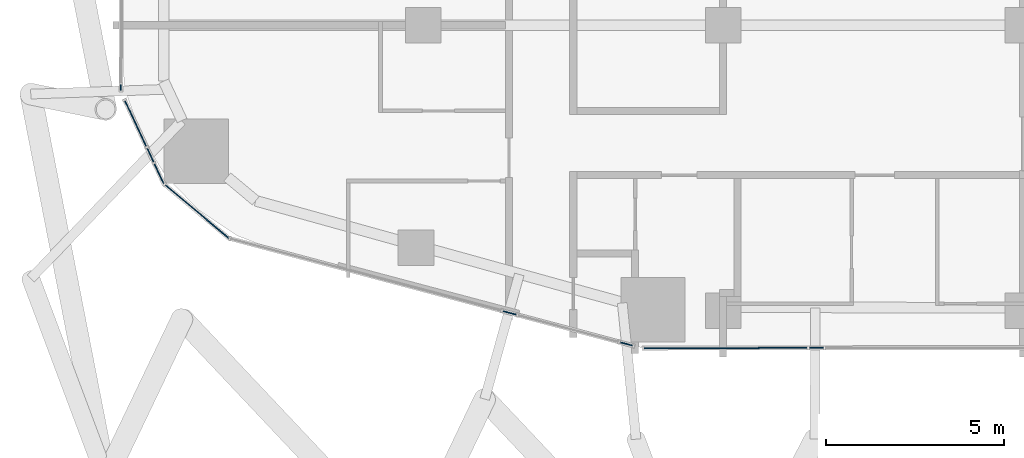
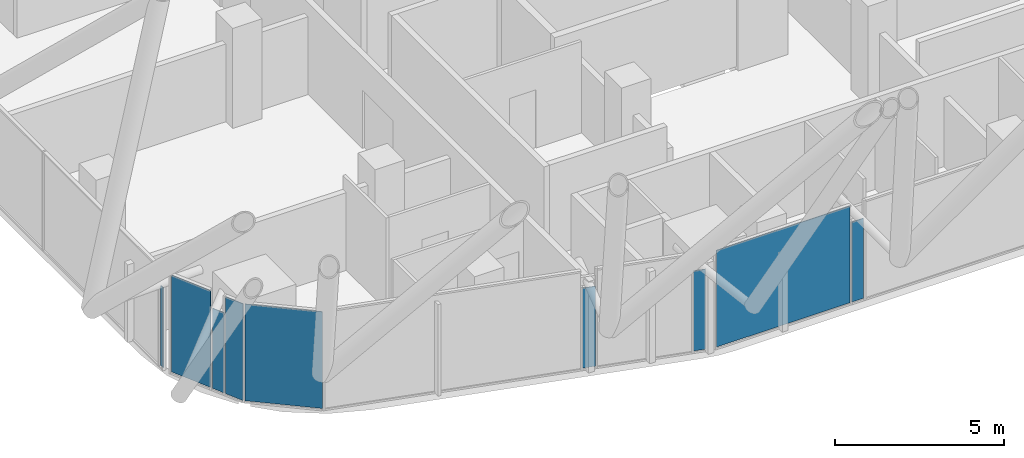
# One storey, part 20 of 36: 9 plates, 9 elements without a shape of their own.
"""IFC4 building model written with IfcOpenShell, lengths in metres."""

from ifc_helpers import new_model, si_unit, direction, frame, origin, origin_2d, place, context, subcontext, project, spatial, rectangle, extrude, material, layer, layer_set, type_object, element, aggregate, save


model = new_model("IFC4")

# Units and contexts
model_context = context("Model", 3, precision=1e-05, world=origin(), true_north=direction((0.0, 1.0)))
body_context = subcontext(model_context, "Body", "Model", "MODEL_VIEW")
ifc_project = project(units=[si_unit("LENGTHUNIT", "METRE"), si_unit("AREAUNIT", "SQUARE_METRE"), si_unit("VOLUMEUNIT", "CUBIC_METRE"), si_unit("PLANEANGLEUNIT", "RADIAN"), si_unit("MASSUNIT", "GRAM", prefix="KILO")], contexts=[model_context])

# Site, building, storey
site_placement = place(None, origin())
site = spatial("IfcSite", under=ifc_project, at=site_placement, CompositionType="ELEMENT")
building_placement = place(site_placement, origin())
building = spatial("IfcBuilding", under=site, at=building_placement, Name="Marenta Gate Hotel Tower", CompositionType="ELEMENT")
storey_placement = place(building_placement, frame((0.0, 0.0, 83.300048828125)))
storey = spatial("IfcBuildingStorey", under=building, at=storey_placement, Name="L19", CompositionType="ELEMENT", Elevation=83.300048828125)

# Curtain wall, plate
ifc_material_1 = material(Name="Tinted insulated glass in bronze anodised frame", Category="glass")
ifc_layer_1 = layer(ifc_material_1, 0.1201171875)
ifc_layer_set_1 = layer_set([ifc_layer_1], Name="Tinted insulated glass in bronze anodised frame")
curtain_wall_type = type_object("IfcCurtainWallType", Name="Tower unitised curtain wall CW1", PredefinedType="NOTDEFINED", material=ifc_layer_set_1)
curtain_wall_1_placement = place(storey_placement, origin())
curtain_wall_1 = element("IfcCurtainWall", 1, at=curtain_wall_1_placement, inside=storey, type_object=curtain_wall_type, Name="CW1 run G09", PredefinedType="NOTDEFINED")
ifc_material_2 = material(Name="Tinted insulated glass", Category="glass")
ifc_layer_2 = layer(ifc_material_2, 0.028076171875)
ifc_layer_set_2 = layer_set([ifc_layer_2], Name="Tinted insulated glass")
plate_type = type_object("IfcPlateType", Name="Glass panel CW1 28 mm tinted insulated unit", PredefinedType="CURTAIN_PANEL", material=ifc_layer_set_2)
plate_1_placement = place(storey_placement, frame((-29.47314453125, -10.144775390625, 0.06005859375), z_axis=(0.0, 0.0, 1.0), x_axis=(-0.001523227487, -0.999998839888, 0.0)))
plate_1 = element("IfcPlate", 2, at=plate_1_placement, type_object=plate_type, Name="CW1 panel 1.1", PredefinedType="CURTAIN_PANEL", context=body_context, shape_type="SweptSolid", body=[
    extrude(rectangle(XDim=0.142578125, YDim=0.028076171875, at=origin_2d()), origin(), (0.0, 0.0, 1.0), 2.880615234375),
])
aggregate(curtain_wall_1, [plate_1])

curtain_wall_2_placement = place(storey_placement, origin())
curtain_wall_2 = element("IfcCurtainWall", 3, at=curtain_wall_2_placement, inside=storey, type_object=curtain_wall_type, Name="CW1 run G10", PredefinedType="NOTDEFINED")
plate_2_placement = place(storey_placement, frame((-29.0625, -11.15478515625, 0.06005859375), z_axis=(0.0, 0.0, 1.0), x_axis=(0.423374568314, -0.905954731156, 0.0)))
plate_2 = element("IfcPlate", 4, at=plate_2_placement, type_object=plate_type, Name="CW1 panel 1.1", PredefinedType="CURTAIN_PANEL", context=body_context, shape_type="SweptSolid", body=[
    extrude(rectangle(XDim=1.406005859375, YDim=0.028076171875, at=origin_2d()), origin(), (0.0, 0.0, 1.0), 3.47998046875),
])
aggregate(curtain_wall_2, [plate_2])

curtain_wall_3_placement = place(storey_placement, origin())
curtain_wall_3 = element("IfcCurtainWall", 5, at=curtain_wall_3_placement, inside=storey, type_object=curtain_wall_type, Name="CW1 run G11", PredefinedType="NOTDEFINED")
plate_3_placement = place(storey_placement, frame((-28.6494140625, -12.0390625, 0.06005859375), z_axis=(0.0, 0.0, 1.0), x_axis=(0.423347352029, -0.905967449487, 0.0)))
plate_3 = element("IfcPlate", 6, at=plate_3_placement, type_object=plate_type, Name="CW1 panel 1.1", PredefinedType="CURTAIN_PANEL", context=body_context, shape_type="SweptSolid", body=[
    extrude(rectangle(XDim=0.42578125, YDim=0.028076171875, at=origin_2d()), origin(), (0.0, 0.0, 1.0), 2.880615234375),
])
aggregate(curtain_wall_3, [plate_3])

curtain_wall_4_placement = place(storey_placement, origin())
curtain_wall_4 = element("IfcCurtainWall", 7, at=curtain_wall_4_placement, inside=storey, type_object=curtain_wall_type, Name="CW1 run G12", PredefinedType="NOTDEFINED")
plate_4_placement = place(storey_placement, frame((-28.404052734375, -12.56396484375, 0.06005859375), z_axis=(0.0, 0.0, 1.0), x_axis=(0.423340951939, -0.905970440142, 0.0)))
plate_4 = element("IfcPlate", 8, at=plate_4_placement, type_object=plate_type, Name="CW1 panel 1.1", PredefinedType="CURTAIN_PANEL", context=body_context, shape_type="SweptSolid", body=[
    extrude(rectangle(XDim=0.613037109375, YDim=0.028076171875, at=origin_2d()), origin(), (0.0, 0.0, 1.0), 3.47998046875),
])
aggregate(curtain_wall_4, [plate_4])

curtain_wall_5_placement = place(storey_placement, origin())
curtain_wall_5 = element("IfcCurtainWall", 9, at=curtain_wall_5_placement, inside=storey, type_object=curtain_wall_type, Name="CW1 run G13", PredefinedType="NOTDEFINED")
plate_5_placement = place(storey_placement, frame((-27.33984375, -13.623291015625, 0.06005859375), z_axis=(0.0, 0.0, 1.0), x_axis=(0.767113012445, -0.641511984407, 0.0)))
plate_5 = element("IfcPlate", 10, at=plate_5_placement, type_object=plate_type, Name="CW1 panel 1.1", PredefinedType="CURTAIN_PANEL", context=body_context, shape_type="SweptSolid", body=[
    extrude(rectangle(XDim=2.316650390625, YDim=0.028076171875, at=origin_2d()), origin(), (0.0, 0.0, 1.0), 3.47998046875),
])
aggregate(curtain_wall_5, [plate_5])

curtain_wall_6_placement = place(storey_placement, origin())
curtain_wall_6 = element("IfcCurtainWall", 11, at=curtain_wall_6_placement, inside=storey, type_object=curtain_wall_type, Name="CW1 run G15", PredefinedType="NOTDEFINED")
plate_6_placement = place(storey_placement, frame((-18.57861328125, -16.461181640625, 0.06005859375), z_axis=(0.0, 0.0, 1.0), x_axis=(0.966355758549, -0.257209152092, 0.0)))
plate_6 = element("IfcPlate", 12, at=plate_6_placement, type_object=plate_type, Name="CW1 panel 1.1", PredefinedType="CURTAIN_PANEL", context=body_context, shape_type="SweptSolid", body=[
    extrude(rectangle(XDim=0.392822265625, YDim=0.028076171875, at=origin_2d()), origin(), (0.0, 0.0, 1.0), 2.880615234375),
])
aggregate(curtain_wall_6, [plate_6])

curtain_wall_7_placement = place(storey_placement, origin())
curtain_wall_7 = element("IfcCurtainWall", 13, at=curtain_wall_7_placement, inside=storey, type_object=curtain_wall_type, Name="CW1 run G17", PredefinedType="NOTDEFINED")
plate_7_placement = place(storey_placement, frame((-15.3095703125, -17.3310546875, 0.06005859375), z_axis=(0.0, 0.0, 1.0), x_axis=(0.966375342216, -0.257135563383, 0.0)))
plate_7 = element("IfcPlate", 14, at=plate_7_placement, type_object=plate_type, Name="CW1 panel 1.1", PredefinedType="CURTAIN_PANEL", context=body_context, shape_type="SweptSolid", body=[
    extrude(rectangle(XDim=0.3642578125, YDim=0.028076171875, at=origin_2d()), origin(), (0.0, 0.0, 1.0), 2.880615234375),
])
aggregate(curtain_wall_7, [plate_7])

curtain_wall_8_placement = place(storey_placement, origin())
curtain_wall_8 = element("IfcCurtainWall", 15, at=curtain_wall_8_placement, inside=storey, type_object=curtain_wall_type, Name="CW1 run G18", PredefinedType="NOTDEFINED")
plate_8_placement = place(storey_placement, frame((-12.528076171875, -17.445068359375, 0.06005859375), z_axis=(0.0, 0.0, 1.0), x_axis=(0.999999318423, 0.001167541525, 0.0)))
plate_8 = element("IfcPlate", 16, at=plate_8_placement, type_object=plate_type, Name="CW1 panel 1.1", PredefinedType="CURTAIN_PANEL", context=body_context, shape_type="SweptSolid", body=[
    extrude(rectangle(XDim=4.565185546875, YDim=0.028076171875, at=origin_2d()), origin(), (0.0, 0.0, 1.0), 3.47998046875),
])
aggregate(curtain_wall_8, [plate_8])

curtain_wall_9_placement = place(storey_placement, origin())
curtain_wall_9 = element("IfcCurtainWall", 17, at=curtain_wall_9_placement, inside=storey, type_object=curtain_wall_type, Name="CW1 run G19", PredefinedType="NOTDEFINED")
plate_9_placement = place(storey_placement, frame((-9.989013671875, -17.442138671875, 0.06005859375), z_axis=(0.0, 0.0, 1.0), x_axis=(0.999999390865, 0.001103752086, 0.0)))
plate_9 = element("IfcPlate", 18, at=plate_9_placement, type_object=plate_type, Name="CW1 panel 1.1", PredefinedType="CURTAIN_PANEL", context=body_context, shape_type="SweptSolid", body=[
    extrude(rectangle(XDim=0.39306640625, YDim=0.028076171875, at=origin_2d()), origin(), (0.0, 0.0, 1.0), 2.880615234375),
])
aggregate(curtain_wall_9, [plate_9])

save(model, "model.ifc")
